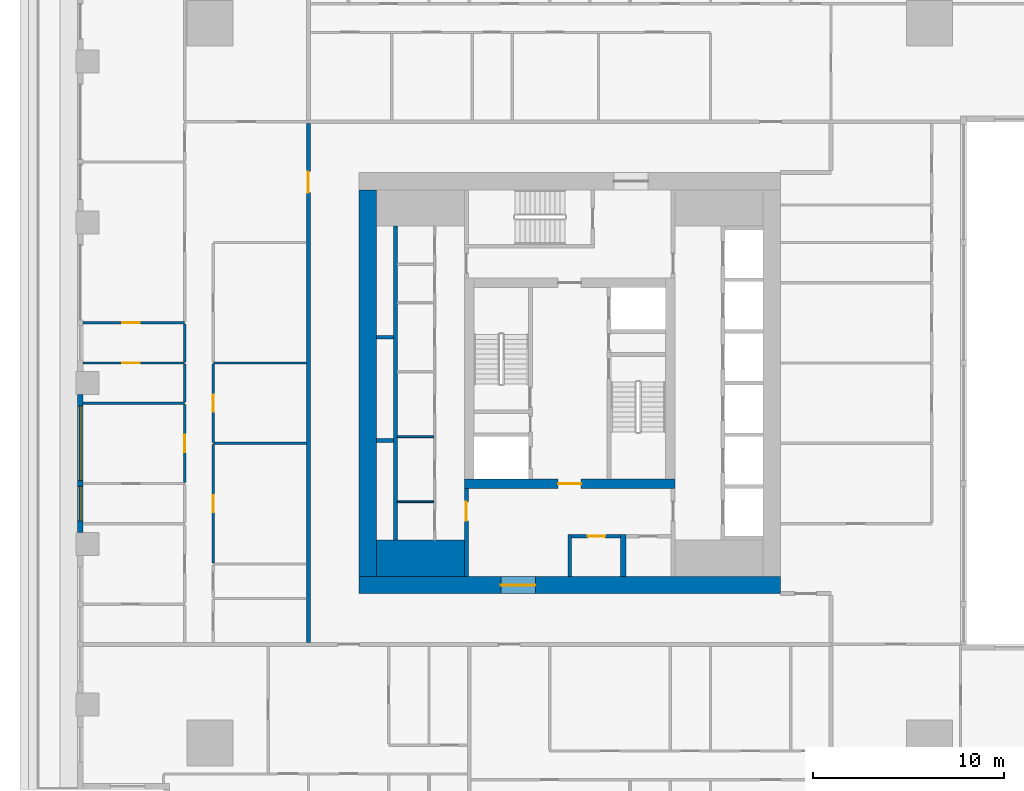
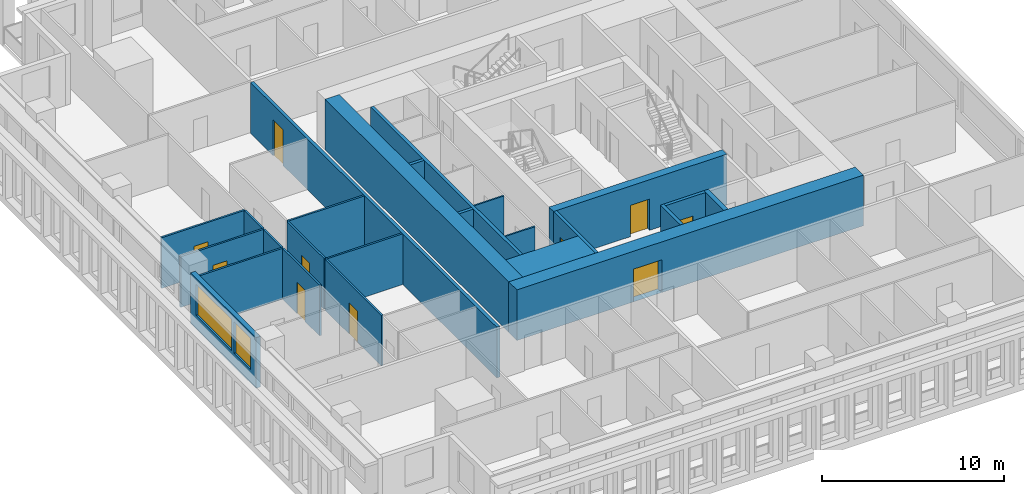
# One storey, part 3 of 15: 25 walls, 10 doors, 2 windows, 12 openings.
"""IFC4 building model written with IfcOpenShell, lengths in metres."""

from ifc_helpers import new_model, si_unit, direction, frame, frame_2d, origin, place, context, subcontext, project, spatial, rectangle, extrude, material, layer, layer_set, type_object, element, fill, save


model = new_model("IFC4")

# Units and contexts
model_context = context("Model", 3, precision=1e-05, world=origin(), true_north=direction((0.0, 1.0)))
body_context = subcontext(model_context, "Body", "Model", "MODEL_VIEW")
ifc_project = project(units=[si_unit("LENGTHUNIT", "METRE"), si_unit("AREAUNIT", "SQUARE_METRE"), si_unit("VOLUMEUNIT", "CUBIC_METRE"), si_unit("PLANEANGLEUNIT", "RADIAN"), si_unit("MASSUNIT", "GRAM", prefix="KILO")], contexts=[model_context])

# Site, building, storey
site_placement = place(None, origin())
site = spatial("IfcSite", under=ifc_project, at=site_placement, CompositionType="ELEMENT")
building_placement = place(site_placement, origin())
building = spatial("IfcBuilding", under=site, at=building_placement, Name="Khepri Terraces", CompositionType="ELEMENT")
storey_placement = place(building_placement, frame((0.0, 0.0, 231.300048828125)))
storey = spatial("IfcBuildingStorey", under=building, at=storey_placement, Name="L55", CompositionType="ELEMENT", Elevation=231.300048828125)

# Walls
ifc_material_1 = material(Name="Concrete C50/60", Category="concrete")
ifc_layer_1 = layer(ifc_material_1, 1.89990234375, Name="Concrete C50/60", Category="concrete")
ifc_layer_set_1 = layer_set([ifc_layer_1], Name="Concrete C50/60")
wall_type_1 = type_object("IfcWallType", Name="Core wall 1900 C50/60", PredefinedType="SHEAR", material=ifc_layer_set_1)
wall_1_placement = place(storey_placement, frame((-10.10009765625, -9.14990234375, 0.0), z_axis=(0.0, 0.0, 1.0), x_axis=(1.0, 0.0, 0.0)))
element("IfcWall", 1, at=wall_1_placement, inside=storey, type_object=wall_type_1, Name="Core wall PR01 L55", PredefinedType="SHEAR", context=body_context, shape_type="SweptSolid", body=[
    extrude(rectangle(XDim=4.60009765625, YDim=1.89990234375, at=frame_2d((2.300048828125, 0.0))), origin(), (0.0, 0.0, 1.0), 3.39990234375),
])
ifc_layer_2 = layer(ifc_material_1, 0.199951171875, Name="Concrete C50/60", Category="concrete")
ifc_layer_set_2 = layer_set([ifc_layer_2], Name="Concrete C50/60")
wall_type_2 = type_object("IfcWallType", Name="Core wall 200 C50/60", PredefinedType="SHEAR", material=ifc_layer_set_2)
wall_2_placement = place(storey_placement, frame((-9.10009765625, -8.199951171875, 0.0), z_axis=(0.0, 0.0, 1.0), x_axis=(0.0, 1.0, 0.0)))
element("IfcWall", 2, at=wall_2_placement, inside=storey, type_object=wall_type_2, Name="Core wall SH01 L55", PredefinedType="SHEAR", context=body_context, shape_type="SweptSolid", body=[
    extrude(rectangle(XDim=16.39990234375, YDim=0.199951171875, at=frame_2d((8.199951171875, 0.0))), origin(), (0.0, 0.0, 1.0), 3.39990234375),
])
for number, where, z_axis, x_axis, name in (
    (3, (-10.10009765625, -3.0, 0.0), (0.0, 0.0, 1.0), (1.0, 0.0, 0.0), "Core wall SH06 L55"),
    (4, (-10.10009765625, 2.39990234375, 0.0), (0.0, 0.0, 1.0), (1.0, 0.0, 0.0), "Core wall SH11 L55"),
):
    element("IfcWall", number, at=place(storey_placement, frame(where, z_axis=z_axis, x_axis=x_axis)), inside=storey, type_object=wall_type_2, Name=name, PredefinedType="SHEAR", context=body_context, shape_type="SweptSolid", body=[
        extrude(rectangle(XDim=0.900146484375, YDim=0.199951171875, at=frame_2d((0.4501953125, 0.0))), origin(), (0.0, 0.0, 1.0), 3.39990234375),
    ])

# Wall, opening, door
ifc_layer_3 = layer(ifc_material_1, 0.5, Name="Concrete C50/60", Category="concrete")
ifc_layer_set_3 = layer_set([ifc_layer_3], Name="Concrete C50/60")
wall_type_3 = type_object("IfcWallType", Name="Core wall 500 C50/60", PredefinedType="SHEAR", material=ifc_layer_set_3)
wall_3_placement = place(storey_placement, frame((-5.5, -5.25, 0.0), z_axis=(0.0, 0.0, 1.0), x_axis=(1.0, 0.0, 0.0)))
wall_3 = element("IfcWall", 5, at=wall_3_placement, inside=storey, type_object=wall_type_3, Name="Core wall BX01 L55", PredefinedType="SHEAR", context=body_context, shape_type="SweptSolid", body=[
    extrude(rectangle(XDim=11.0, YDim=0.5, at=frame_2d((5.5, 0.0))), origin(), (0.0, 0.0, 1.0), 3.39990234375),
])
opening_1_placement = place(wall_3_placement, frame((4.89990234375, 0.0, 0.0)))
opening_1 = element("IfcOpeningElement", 6, at=opening_1_placement, cuts=wall_3, Name="Opening L55-C14", PredefinedType="OPENING", context=body_context, shape_type="SweptSolid", body=[
    extrude(rectangle(XDim=1.199951171875, YDim=2.10009765625, at=frame_2d((0.60009765625, 1.050048828125))), frame((0.0, 0.260009765625, 0.0), z_axis=(0.0, -1.0, 0.0), x_axis=(1.0, 0.0, 0.0)), (0.0, 0.0, 1.0), 0.52001953125),
])
ifc_material_2 = material(Name="Painted steel", Category="steel")
door_type_1 = type_object("IfcDoorType", Name="DR-CORE-FF-LOBBY-1200", OperationType="NOTDEFINED", PredefinedType="DOOR", material=ifc_material_2)
door_1_placement = place(opening_1_placement, origin())
door_1 = element("IfcDoor", 7, at=door_1_placement, inside=storey, type_object=door_type_1, Name="Firefighting lobby door L55-C14", OperationType="SINGLE_SWING_RIGHT", OverallHeight=2.10009765625, OverallWidth=1.199951171875, PredefinedType="DOOR", context=body_context, shape_type="SweptSolid", body=[
    extrude(rectangle(XDim=1.199951171875, YDim=2.10009765625, at=frame_2d((0.60009765625, 1.050048828125))), frame((0.0, 0.02490234375, 0.0), z_axis=(0.0, -1.0, 0.0), x_axis=(1.0, 0.0, 0.0)), (0.0, 0.0, 1.0), 0.050048828125),
])
fill(opening_1, door_1)

ifc_layer_4 = layer(ifc_material_1, 0.89990234375, Name="Concrete C50/60", Category="concrete")
ifc_layer_set_4 = layer_set([ifc_layer_4], Name="Concrete C50/60")
wall_type_4 = type_object("IfcWallType", Name="Core wall 900 C50/60", PredefinedType="SHEAR", material=ifc_layer_set_4)
wall_4_placement = place(storey_placement, frame((-11.0, -10.550048828125, 0.0), z_axis=(0.0, 0.0, 1.0), x_axis=(1.0, 0.0, 0.0)))
wall_4 = element("IfcWall", 8, at=wall_4_placement, inside=storey, type_object=wall_type_4, Name="Core wall OW-S L55", PredefinedType="SHEAR", context=body_context, shape_type="SweptSolid", body=[
    extrude(rectangle(XDim=22.0, YDim=0.89990234375, at=frame_2d((11.0, 0.0))), origin(), (0.0, 0.0, 1.0), 3.39990234375),
])
opening_2_placement = place(wall_4_placement, frame((7.39990234375, 0.0, 0.0)))
opening_2 = element("IfcOpeningElement", 9, at=opening_2_placement, cuts=wall_4, Name="Opening L55-C21", PredefinedType="OPENING", context=body_context, shape_type="SweptSolid", body=[
    extrude(rectangle(XDim=1.800048828125, YDim=2.199951171875, at=frame_2d((0.89990234375, 1.10009765625))), frame((0.0, 0.4599609375, 0.0), z_axis=(0.0, -1.0, 0.0), x_axis=(1.0, 0.0, 0.0)), (0.0, 0.0, 1.0), 0.919921875),
])
door_type_2 = type_object("IfcDoorType", Name="DR-CORE-ENTRANCE-1800", OperationType="NOTDEFINED", PredefinedType="DOOR", material=ifc_material_2)
door_2_placement = place(opening_2_placement, frame((1.800048828125, 0.0, 0.0), z_axis=(0.0, 0.0, 1.0), x_axis=(-1.0, 0.0, 0.0)))
door_2 = element("IfcDoor", 10, at=door_2_placement, inside=storey, type_object=door_type_2, Name="Core entrance door pair L55-C21", OperationType="DOUBLE_DOOR_SINGLE_SWING", OverallHeight=2.199951171875, OverallWidth=1.800048828125, PredefinedType="DOOR", context=body_context, shape_type="SweptSolid", body=[
    extrude(rectangle(XDim=1.800048828125, YDim=2.199951171875, at=frame_2d((0.89990234375, 1.10009765625))), frame((0.0, 0.02490234375, 0.0), z_axis=(0.0, -1.0, 0.0), x_axis=(1.0, 0.0, 0.0)), (0.0, 0.0, 1.0), 0.050048828125),
])
fill(opening_2, door_2)

# Walls
wall_5_placement = place(storey_placement, frame((-10.550048828125, -10.10009765625, 0.0), z_axis=(0.0, 0.0, 1.0), x_axis=(0.0, 1.0, 0.0)))
element("IfcWall", 11, at=wall_5_placement, inside=storey, type_object=wall_type_4, Name="Core wall OW-W L55", PredefinedType="SHEAR", context=body_context, shape_type="SweptSolid", body=[
    extrude(rectangle(XDim=20.2001953125, YDim=0.89990234375, at=frame_2d((10.10009765625, 0.0))), origin(), (0.0, 0.0, 1.0), 3.39990234375),
])
ifc_material_3 = material(Name="Fire-rated gypsum board partition")
ifc_layer_5 = layer(ifc_material_3, 0.10009765625, Name="Fire-rated gypsum board partition")
ifc_layer_set_5 = layer_set([ifc_layer_5], Name="Fire-rated gypsum board partition")
wall_type_5 = type_object("IfcWallType", Name="WL-CORE-PART-100", PredefinedType="PARTITIONING", material=ifc_layer_set_5)
for number, where, z_axis, x_axis, name in (
    (12, (-9.0, -6.199951171875, 0.0), (0.0, 0.0, 1.0), (1.0, 0.0, 0.0), "Core partition PT08 L55"),
    (13, (-9.0, -2.800048828125, 0.0), (0.0, 0.0, 1.0), (1.0, 0.0, 0.0), "Core partition PT09 L55"),
):
    element("IfcWall", number, at=place(storey_placement, frame(where, z_axis=z_axis, x_axis=x_axis)), inside=storey, type_object=wall_type_5, Name=name, PredefinedType="PARTITIONING", context=body_context, shape_type="SweptSolid", body=[
        extrude(rectangle(XDim=1.89990234375, YDim=0.10009765625, at=frame_2d((0.949951171875, 0.0))), origin(), (0.0, 0.0, 1.0), 3.39990234375),
    ])

# Wall, opening, door
ifc_layer_6 = layer(ifc_material_3, 0.199951171875, Name="Fire-rated gypsum board partition")
ifc_layer_set_6 = layer_set([ifc_layer_6], Name="Fire-rated gypsum board partition")
wall_type_6 = type_object("IfcWallType", Name="WL-CORE-PART-200", PredefinedType="PARTITIONING", material=ifc_layer_set_6)
wall_6_placement = place(storey_placement, frame((-5.39990234375, -10.10009765625, 0.0), z_axis=(0.0, 0.0, 1.0), x_axis=(0.0, 1.0, 0.0)))
wall_6 = element("IfcWall", 14, at=wall_6_placement, inside=storey, type_object=wall_type_6, Name="Core partition PT01 L55", PredefinedType="PARTITIONING", context=body_context, shape_type="SweptSolid", body=[
    extrude(rectangle(XDim=4.60009765625, YDim=0.199951171875, at=frame_2d((2.300048828125, 0.0))), origin(), (0.0, 0.0, 1.0), 3.39990234375),
])
opening_3_placement = place(wall_6_placement, frame((2.89990234375, 0.0, 0.0)))
opening_3 = element("IfcOpeningElement", 15, at=opening_3_placement, cuts=wall_6, Name="Opening L55-C18", PredefinedType="OPENING", context=body_context, shape_type="SweptSolid", body=[
    extrude(rectangle(XDim=1.0, YDim=2.10009765625, at=frame_2d((0.5, 1.050048828125))), frame((0.0, 0.10986328125, 0.0), z_axis=(0.0, -1.0, 0.0), x_axis=(1.0, 0.0, 0.0)), (0.0, 0.0, 1.0), 0.219970703125),
])
door_type_3 = type_object("IfcDoorType", Name="DR-CORE-LOBBY-1000", OperationType="NOTDEFINED", PredefinedType="DOOR", material=ifc_material_2)
door_3_placement = place(opening_3_placement, frame((1.0, 0.0, 0.0), z_axis=(0.0, 0.0, 1.0), x_axis=(-1.0, 0.0, 0.0)))
door_3 = element("IfcDoor", 16, at=door_3_placement, inside=storey, type_object=door_type_3, Name="Lobby door L55-C18", OperationType="SINGLE_SWING_LEFT", OverallHeight=2.10009765625, OverallWidth=1.0, PredefinedType="DOOR", context=body_context, shape_type="SweptSolid", body=[
    extrude(rectangle(XDim=1.0, YDim=2.10009765625, at=frame_2d((0.5, 1.050048828125))), frame((0.0, 0.02490234375, 0.0), z_axis=(0.0, -1.0, 0.0), x_axis=(1.0, 0.0, 0.0)), (0.0, 0.0, 1.0), 0.050048828125),
])
fill(opening_3, door_3)

# Wall
wall_7_placement = place(storey_placement, frame((0.0, -10.10009765625, 0.0), z_axis=(0.0, 0.0, 1.0), x_axis=(0.0, 1.0, 0.0)))
element("IfcWall", 17, at=wall_7_placement, inside=storey, type_object=wall_type_6, Name="Core partition PT02 L55", PredefinedType="PARTITIONING", context=body_context, shape_type="SweptSolid", body=[
    extrude(rectangle(XDim=2.2001953125, YDim=0.199951171875, at=frame_2d((1.10009765625, 0.0))), origin(), (0.0, 0.0, 1.0), 3.39990234375),
])

# Wall, opening, door
wall_8_placement = place(storey_placement, frame((0.10009765625, -8.0, 0.0), z_axis=(0.0, 0.0, 1.0), x_axis=(1.0, 0.0, 0.0)))
wall_8 = element("IfcWall", 18, at=wall_8_placement, inside=storey, type_object=wall_type_6, Name="Core partition PT06 L55", PredefinedType="PARTITIONING", context=body_context, shape_type="SweptSolid", body=[
    extrude(rectangle(XDim=2.5498046875, YDim=0.199951171875, at=frame_2d((1.27490234375, 0.0))), origin(), (0.0, 0.0, 1.0), 3.39990234375),
])
opening_4_placement = place(wall_8_placement, frame((0.85009765625, 0.0, 0.0)))
opening_4 = element("IfcOpeningElement", 19, at=opening_4_placement, cuts=wall_8, Name="Opening L55-C22", PredefinedType="OPENING", context=body_context, shape_type="SweptSolid", body=[
    extrude(rectangle(XDim=0.89990234375, YDim=2.10009765625, at=frame_2d((0.449951171875, 1.050048828125))), frame((0.0, 0.10986328125, 0.0), z_axis=(0.0, -1.0, 0.0), x_axis=(1.0, 0.0, 0.0)), (0.0, 0.0, 1.0), 0.219970703125),
])
door_type_4 = type_object("IfcDoorType", Name="DR-CORE-SERVICE-900", OperationType="NOTDEFINED", PredefinedType="DOOR", material=ifc_material_2)
door_4_placement = place(opening_4_placement, frame((0.89990234375, 0.0, 0.0), z_axis=(0.0, 0.0, 1.0), x_axis=(-1.0, 0.0, 0.0)))
door_4 = element("IfcDoor", 20, at=door_4_placement, inside=storey, type_object=door_type_4, Name="Service room door L55-C22", OperationType="SINGLE_SWING_LEFT", OverallHeight=2.10009765625, OverallWidth=0.89990234375, PredefinedType="DOOR", context=body_context, shape_type="SweptSolid", body=[
    extrude(rectangle(XDim=0.89990234375, YDim=2.10009765625, at=frame_2d((0.449951171875, 1.050048828125))), frame((0.0, 0.02490234375, 0.0), z_axis=(0.0, -1.0, 0.0), x_axis=(1.0, 0.0, 0.0)), (0.0, 0.0, 1.0), 0.050048828125),
])
fill(opening_4, door_4)

# Wall
ifc_layer_7 = layer(ifc_material_3, 0.300048828125, Name="Fire-rated gypsum board partition")
ifc_layer_set_7 = layer_set([ifc_layer_7], Name="Fire-rated gypsum board partition")
wall_type_7 = type_object("IfcWallType", Name="WL-CORE-PART-300", PredefinedType="PARTITIONING", material=ifc_layer_set_7)
wall_9_placement = place(storey_placement, frame((2.800048828125, -10.10009765625, 0.0), z_axis=(0.0, 0.0, 1.0), x_axis=(0.0, 1.0, 0.0)))
element("IfcWall", 21, at=wall_9_placement, inside=storey, type_object=wall_type_7, Name="Core partition PT03 L55", PredefinedType="PARTITIONING", context=body_context, shape_type="SweptSolid", body=[
    extrude(rectangle(XDim=2.2001953125, YDim=0.300048828125, at=frame_2d((1.10009765625, 0.0))), origin(), (0.0, 0.0, 1.0), 3.39990234375),
])

# Wall, opening, door
ifc_material_4 = material(Name="Fire-rated gypsum plasterboard partition, mineral wool")
ifc_layer_8 = layer(ifc_material_4, 0.199951171875, Name="Fire-rated gypsum plasterboard partition, mineral wool")
ifc_layer_set_8 = layer_set([ifc_layer_8], Name="Fire-rated gypsum plasterboard partition, mineral wool")
wall_type_8 = type_object("IfcWallType", Name="WL-CORR-200", PredefinedType="PARTITIONING", material=ifc_layer_set_8)
wall_10_placement = place(storey_placement, frame((-13.64990234375, -13.550048828125, 0.0), z_axis=(0.0, 0.0, 1.0), x_axis=(0.0, 1.0, 0.0)))
wall_10 = element("IfcWall", 22, at=wall_10_placement, inside=storey, type_object=wall_type_8, Name="Partition P-028 L55", PredefinedType="PARTITIONING", context=body_context, shape_type="SweptSolid", body=[
    extrude(rectangle(XDim=27.10009765625, YDim=0.199951171875, at=frame_2d((13.550048828125, 0.0))), origin(), (0.0, 0.0, 1.0), 3.39990234375),
])
opening_5_placement = place(wall_10_placement, frame((23.5, 0.0, 0.0)))
opening_5 = element("IfcOpeningElement", 23, at=opening_5_placement, cuts=wall_10, Name="Opening D1", PredefinedType="OPENING", context=body_context, shape_type="SweptSolid", body=[
    extrude(rectangle(XDim=1.10009765625, YDim=2.39990234375, at=frame_2d((0.550048828125, 1.199951171875))), frame((0.0, 0.10986328125, 0.0), z_axis=(0.0, -1.0, 0.0), x_axis=(1.0, 0.0, 0.0)), (0.0, 0.0, 1.0), 0.219970703125),
])
ifc_material_5 = material(Name="Solid-core timber door leaf, flat entrance door", Category="wood")
door_type_5 = type_object("IfcDoorType", Name="DR-ENT-1100", OperationType="NOTDEFINED", PredefinedType="DOOR", material=ifc_material_5)
door_5_placement = place(opening_5_placement, origin())
door_5 = element("IfcDoor", 24, at=door_5_placement, inside=storey, type_object=door_type_5, Name="Flat D1 entrance door", OperationType="SINGLE_SWING_RIGHT", OverallHeight=2.39990234375, OverallWidth=1.10009765625, PredefinedType="DOOR", context=body_context, shape_type="SweptSolid", body=[
    extrude(rectangle(XDim=1.10009765625, YDim=2.39990234375, at=frame_2d((0.550048828125, 1.199951171875))), frame((0.0, 0.02490234375, 0.0), z_axis=(0.0, -1.0, 0.0), x_axis=(1.0, 0.0, 0.0)), (0.0, 0.0, 1.0), 0.050048828125),
])
fill(opening_5, door_5)

# Wall, openings, windows
ifc_material_6 = material(Name="Precast concrete C50/60 warm stone", Category="masonry")
ifc_layer_9 = layer(ifc_material_6, 0.300048828125, Name="Precast concrete C50/60 warm stone", Category="masonry")
ifc_layer_set_9 = layer_set([ifc_layer_9], Name="Precast concrete C50/60 warm stone")
wall_type_9 = type_object("IfcWallType", Name="WL-EXT-PRECAST-300", PredefinedType="STANDARD", material=ifc_layer_set_9)
wall_11_placement = place(storey_placement, frame((-25.570068359375, -0.60009765625, 0.0), z_axis=(0.0, 0.0, 1.0), x_axis=(0.0, -1.0, 0.0)))
wall_11 = element("IfcWall", 25, at=wall_11_placement, inside=storey, type_object=wall_type_9, Name="External wall L55 W", PredefinedType="STANDARD", context=body_context, shape_type="SweptSolid", body=[
    extrude(rectangle(XDim=7.199951171875, YDim=0.300048828125, at=frame_2d((3.60009765625, 0.0))), origin(), (0.0, 0.0, 1.0), 3.39990234375),
])
opening_6_placement = place(wall_11_placement, frame((0.60009765625, 0.0, 0.89990234375)))
opening_6 = element("IfcOpeningElement", 26, at=opening_6_placement, cuts=wall_11, Name="Opening W2", PredefinedType="OPENING", context=body_context, shape_type="SweptSolid", body=[
    extrude(rectangle(XDim=3.89990234375, YDim=2.10009765625, at=frame_2d((1.949951171875, 1.050048828125))), frame((0.0, 0.16015625, 0.0), z_axis=(0.0, -1.0, 0.0), x_axis=(1.0, 0.0, 0.0)), (0.0, 0.0, 1.0), 0.320068359375),
])
opening_7_placement = place(wall_11_placement, frame((4.800048828125, 0.0, 0.89990234375)))
opening_7 = element("IfcOpeningElement", 27, at=opening_7_placement, cuts=wall_11, Name="Opening W1", PredefinedType="OPENING", context=body_context, shape_type="SweptSolid", body=[
    extrude(rectangle(XDim=1.800048828125, YDim=2.10009765625, at=frame_2d((0.89990234375, 1.050048828125))), frame((0.0, 0.16015625, 0.0), z_axis=(0.0, -1.0, 0.0), x_axis=(1.0, 0.0, 0.0)), (0.0, 0.0, 1.0), 0.320068359375),
])
ifc_material_7 = material(Name="Clear glass", Category="glass")
window_type_1 = type_object("IfcWindowType", Name="WIN-RES-1800x2100", PartitioningType="SINGLE_PANEL", PredefinedType="WINDOW", material=ifc_material_7)
window_1_placement = place(opening_7_placement, origin())
window_1 = element("IfcWindow", 28, at=window_1_placement, inside=storey, type_object=window_type_1, Name="Window L55 W", OverallHeight=2.10009765625, OverallWidth=1.800048828125, PartitioningType="SINGLE_PANEL", PredefinedType="WINDOW", context=body_context, shape_type="SweptSolid", body=[
    extrude(rectangle(XDim=1.800048828125, YDim=2.10009765625, at=frame_2d((0.89990234375, 1.050048828125))), frame((0.0, 0.030029296875, 0.0), z_axis=(0.0, -1.0, 0.0), x_axis=(1.0, 0.0, 0.0)), (0.0, 0.0, 1.0), 0.06005859375),
])
fill(opening_7, window_1)
window_type_2 = type_object("IfcWindowType", Name="WIN-RES-3900x2100", PartitioningType="SINGLE_PANEL", PredefinedType="WINDOW", material=ifc_material_7)
window_2_placement = place(opening_6_placement, origin())
window_2 = element("IfcWindow", 29, at=window_2_placement, inside=storey, type_object=window_type_2, Name="Window L55 W", OverallHeight=2.10009765625, OverallWidth=3.89990234375, PartitioningType="SINGLE_PANEL", PredefinedType="WINDOW", context=body_context, shape_type="SweptSolid", body=[
    extrude(rectangle(XDim=3.89990234375, YDim=2.10009765625, at=frame_2d((1.949951171875, 1.050048828125))), frame((0.0, 0.030029296875, 0.0), z_axis=(0.0, -1.0, 0.0), x_axis=(1.0, 0.0, 0.0)), (0.0, 0.0, 1.0), 0.06005859375),
])
fill(opening_6, window_2)

# Wall, opening, door
ifc_material_8 = material(Name="Gypsum plasterboard partition")
ifc_layer_10 = layer(ifc_material_8, 0.1201171875, Name="Gypsum plasterboard partition")
ifc_layer_set_10 = layer_set([ifc_layer_10], Name="Gypsum plasterboard partition")
wall_type_10 = type_object("IfcWallType", Name="WL-PART-120", PredefinedType="PARTITIONING", material=ifc_layer_set_10)
wall_12_placement = place(storey_placement, frame((-18.6201171875, -9.389892578125, 0.0), z_axis=(0.0, 0.0, 1.0), x_axis=(0.0, 1.0, 0.0)))
wall_12 = element("IfcWall", 30, at=wall_12_placement, inside=storey, type_object=wall_type_10, Name="Partition P-036 L55", PredefinedType="PARTITIONING", context=body_context, shape_type="SweptSolid", body=[
    extrude(rectangle(XDim=6.179931640625, YDim=0.1201171875, at=frame_2d((3.08984375, 0.0))), origin(), (0.0, 0.0, 1.0), 3.39990234375),
])
opening_8_placement = place(wall_12_placement, frame((2.639892578125, 0.0, 0.0)))
opening_8 = element("IfcOpeningElement", 31, at=opening_8_placement, cuts=wall_12, Name="Opening D3", PredefinedType="OPENING", context=body_context, shape_type="SweptSolid", body=[
    extrude(rectangle(XDim=0.89990234375, YDim=2.10009765625, at=frame_2d((0.449951171875, 1.050048828125))), frame((0.0, 0.070068359375, 0.0), z_axis=(0.0, -1.0, 0.0), x_axis=(1.0, 0.0, 0.0)), (0.0, 0.0, 1.0), 0.14013671875),
])
ifc_material_9 = material(Name="Timber door leaf", Category="wood")
door_type_6 = type_object("IfcDoorType", Name="DR-INT-900", OperationType="NOTDEFINED", PredefinedType="DOOR", material=ifc_material_9)
door_6_placement = place(opening_8_placement, frame((0.89990234375, 0.0, 0.0), z_axis=(0.0, 0.0, 1.0), x_axis=(-1.0, 0.0, 0.0)))
door_6 = element("IfcDoor", 32, at=door_6_placement, inside=storey, type_object=door_type_6, Name="Door Staff Bedroom", OperationType="SINGLE_SWING_LEFT", OverallHeight=2.10009765625, OverallWidth=0.89990234375, PredefinedType="DOOR", context=body_context, shape_type="SweptSolid", body=[
    extrude(rectangle(XDim=0.89990234375, YDim=2.10009765625, at=frame_2d((0.449951171875, 1.050048828125))), frame((0.0, 0.02490234375, 0.0), z_axis=(0.0, -1.0, 0.0), x_axis=(1.0, 0.0, 0.0)), (0.0, 0.0, 1.0), 0.050048828125),
])
fill(opening_8, door_6)

wall_13_placement = place(storey_placement, frame((-20.1201171875, -5.18994140625, 0.0), z_axis=(0.0, 0.0, 1.0), x_axis=(0.0, 1.0, 0.0)))
wall_13 = element("IfcWall", 33, at=wall_13_placement, inside=storey, type_object=wall_type_10, Name="Partition P-042 L55", PredefinedType="PARTITIONING", context=body_context, shape_type="SweptSolid", body=[
    extrude(rectangle(XDim=4.079833984375, YDim=0.1201171875, at=frame_2d((2.0400390625, 0.0))), origin(), (0.0, 0.0, 1.0), 3.39990234375),
])
opening_9_placement = place(wall_13_placement, frame((1.590087890625, 0.0, 0.0)))
opening_9 = element("IfcOpeningElement", 34, at=opening_9_placement, cuts=wall_13, Name="Opening D3", PredefinedType="OPENING", context=body_context, shape_type="SweptSolid", body=[
    extrude(rectangle(XDim=0.89990234375, YDim=2.10009765625, at=frame_2d((0.449951171875, 1.050048828125))), frame((0.0, 0.070068359375, 0.0), z_axis=(0.0, -1.0, 0.0), x_axis=(1.0, 0.0, 0.0)), (0.0, 0.0, 1.0), 0.14013671875),
])
door_7_placement = place(opening_9_placement, origin())
door_7 = element("IfcDoor", 35, at=door_7_placement, inside=storey, type_object=door_type_6, Name="Door Bedroom", OperationType="SINGLE_SWING_RIGHT", OverallHeight=2.10009765625, OverallWidth=0.89990234375, PredefinedType="DOOR", context=body_context, shape_type="SweptSolid", body=[
    extrude(rectangle(XDim=0.89990234375, YDim=2.10009765625, at=frame_2d((0.449951171875, 1.050048828125))), frame((0.0, 0.02490234375, 0.0), z_axis=(0.0, -1.0, 0.0), x_axis=(1.0, 0.0, 0.0)), (0.0, 0.0, 1.0), 0.050048828125),
])
fill(opening_9, door_7)

# Wall
wall_14_placement = place(storey_placement, frame((-18.6201171875, -3.14990234375, 0.0), z_axis=(0.0, 0.0, 1.0), x_axis=(1.0, 0.0, 0.0)))
element("IfcWall", 36, at=wall_14_placement, inside=storey, type_object=wall_type_10, Name="Partition P-043 L55", PredefinedType="PARTITIONING", context=body_context, shape_type="SweptSolid", body=[
    extrude(rectangle(XDim=4.8701171875, YDim=0.1201171875, at=frame_2d((2.43505859375, 0.0))), origin(), (0.0, 0.0, 1.0), 3.39990234375),
])

# Wall, opening, door
wall_15_placement = place(storey_placement, frame((-18.6201171875, -3.090087890625, 0.0), z_axis=(0.0, 0.0, 1.0), x_axis=(0.0, 1.0, 0.0)))
wall_15 = element("IfcWall", 37, at=wall_15_placement, inside=storey, type_object=wall_type_10, Name="Partition P-045 L55", PredefinedType="PARTITIONING", context=body_context, shape_type="SweptSolid", body=[
    extrude(rectangle(XDim=4.080078125, YDim=0.1201171875, at=frame_2d((2.0400390625, 0.0))), origin(), (0.0, 0.0, 1.0), 3.39990234375),
])
opening_10_placement = place(wall_15_placement, frame((1.590087890625, 0.0, 0.0)))
opening_10 = element("IfcOpeningElement", 38, at=opening_10_placement, cuts=wall_15, Name="Opening D3", PredefinedType="OPENING", context=body_context, shape_type="SweptSolid", body=[
    extrude(rectangle(XDim=0.89990234375, YDim=2.10009765625, at=frame_2d((0.449951171875, 1.050048828125))), frame((0.0, 0.070068359375, 0.0), z_axis=(0.0, -1.0, 0.0), x_axis=(1.0, 0.0, 0.0)), (0.0, 0.0, 1.0), 0.14013671875),
])
door_8_placement = place(opening_10_placement, frame((0.89990234375, 0.0, 0.0), z_axis=(0.0, 0.0, 1.0), x_axis=(-1.0, 0.0, 0.0)))
door_8 = element("IfcDoor", 39, at=door_8_placement, inside=storey, type_object=door_type_6, Name="Door Service Store", OperationType="SINGLE_SWING_LEFT", OverallHeight=2.10009765625, OverallWidth=0.89990234375, PredefinedType="DOOR", context=body_context, shape_type="SweptSolid", body=[
    extrude(rectangle(XDim=0.89990234375, YDim=2.10009765625, at=frame_2d((0.449951171875, 1.050048828125))), frame((0.0, 0.02490234375, 0.0), z_axis=(0.0, -1.0, 0.0), x_axis=(1.0, 0.0, 0.0)), (0.0, 0.0, 1.0), 0.050048828125),
])
fill(opening_10, door_8)

# Walls
wall_16_placement = place(storey_placement, frame((-25.419921875, -1.050048828125, 0.0), z_axis=(0.0, 0.0, 1.0), x_axis=(1.0, 0.0, 0.0)))
element("IfcWall", 40, at=wall_16_placement, inside=storey, type_object=wall_type_10, Name="Partition P-047 L55", PredefinedType="PARTITIONING", context=body_context, shape_type="SweptSolid", body=[
    extrude(rectangle(XDim=5.2998046875, YDim=0.1201171875, at=frame_2d((2.64990234375, 0.0))), origin(), (0.0, 0.0, 1.0), 3.39990234375),
])
wall_17_placement = place(storey_placement, frame((-20.1201171875, -0.989990234375, 0.0), z_axis=(0.0, 0.0, 1.0), x_axis=(0.0, 1.0, 0.0)))
element("IfcWall", 41, at=wall_17_placement, inside=storey, type_object=wall_type_10, Name="Partition P-048 L55", PredefinedType="PARTITIONING", context=body_context, shape_type="SweptSolid", body=[
    extrude(rectangle(XDim=1.97998046875, YDim=0.1201171875, at=frame_2d((0.989990234375, 0.0))), origin(), (0.0, 0.0, 1.0), 3.39990234375),
])

# Wall, opening, door
wall_18_placement = place(storey_placement, frame((-25.419921875, 1.050048828125, 0.0), z_axis=(0.0, 0.0, 1.0), x_axis=(1.0, 0.0, 0.0)))
wall_18 = element("IfcWall", 42, at=wall_18_placement, inside=storey, type_object=wall_type_10, Name="Partition P-049 L55", PredefinedType="PARTITIONING", context=body_context, shape_type="SweptSolid", body=[
    extrude(rectangle(XDim=5.2998046875, YDim=0.1201171875, at=frame_2d((2.64990234375, 0.0))), origin(), (0.0, 0.0, 1.0), 3.39990234375),
])
opening_11_placement = place(wall_18_placement, frame((2.050048828125, 0.0, 0.0)))
opening_11 = element("IfcOpeningElement", 43, at=opening_11_placement, cuts=wall_18, Name="Opening D4", PredefinedType="OPENING", context=body_context, shape_type="SweptSolid", body=[
    extrude(rectangle(XDim=0.89990234375, YDim=2.10009765625, at=frame_2d((0.449951171875, 1.050048828125))), frame((0.0, 0.070068359375, 0.0), z_axis=(0.0, -1.0, 0.0), x_axis=(1.0, 0.0, 0.0)), (0.0, 0.0, 1.0), 0.14013671875),
])
ifc_material_10 = material(Name="Timber door leaf, moisture resistant", Category="wood")
door_type_7 = type_object("IfcDoorType", Name="DR-WET-900", OperationType="NOTDEFINED", PredefinedType="DOOR", material=ifc_material_10)
door_9_placement = place(opening_11_placement, frame((0.89990234375, 0.0, 0.0), z_axis=(0.0, 0.0, 1.0), x_axis=(-1.0, 0.0, 0.0)))
door_9 = element("IfcDoor", 44, at=door_9_placement, inside=storey, type_object=door_type_7, Name="Door Bathroom", OperationType="SINGLE_SWING_RIGHT", OverallHeight=2.10009765625, OverallWidth=0.89990234375, PredefinedType="DOOR", context=body_context, shape_type="SweptSolid", body=[
    extrude(rectangle(XDim=0.89990234375, YDim=2.10009765625, at=frame_2d((0.449951171875, 1.050048828125))), frame((0.0, 0.02490234375, 0.0), z_axis=(0.0, -1.0, 0.0), x_axis=(1.0, 0.0, 0.0)), (0.0, 0.0, 1.0), 0.050048828125),
])
fill(opening_11, door_9)

# Walls
wall_19_placement = place(storey_placement, frame((-18.6201171875, 1.050048828125, 0.0), z_axis=(0.0, 0.0, 1.0), x_axis=(1.0, 0.0, 0.0)))
element("IfcWall", 45, at=wall_19_placement, inside=storey, type_object=wall_type_10, Name="Partition P-050 L55", PredefinedType="PARTITIONING", context=body_context, shape_type="SweptSolid", body=[
    extrude(rectangle(XDim=4.8701171875, YDim=0.1201171875, at=frame_2d((2.43505859375, 0.0))), origin(), (0.0, 0.0, 1.0), 3.39990234375),
])
wall_20_placement = place(storey_placement, frame((-20.1201171875, 1.110107421875, 0.0), z_axis=(0.0, 0.0, 1.0), x_axis=(0.0, 1.0, 0.0)))
element("IfcWall", 46, at=wall_20_placement, inside=storey, type_object=wall_type_10, Name="Partition P-052 L55", PredefinedType="PARTITIONING", context=body_context, shape_type="SweptSolid", body=[
    extrude(rectangle(XDim=1.97998046875, YDim=0.1201171875, at=frame_2d((0.989990234375, 0.0))), origin(), (0.0, 0.0, 1.0), 3.39990234375),
])

# Wall, opening, door
wall_21_placement = place(storey_placement, frame((-25.419921875, 3.14990234375, 0.0), z_axis=(0.0, 0.0, 1.0), x_axis=(1.0, 0.0, 0.0)))
wall_21 = element("IfcWall", 47, at=wall_21_placement, inside=storey, type_object=wall_type_10, Name="Partition P-055 L55", PredefinedType="PARTITIONING", context=body_context, shape_type="SweptSolid", body=[
    extrude(rectangle(XDim=5.2998046875, YDim=0.1201171875, at=frame_2d((2.64990234375, 0.0))), origin(), (0.0, 0.0, 1.0), 3.39990234375),
])
opening_12_placement = place(wall_21_placement, frame((2.050048828125, 0.0, 0.0)))
opening_12 = element("IfcOpeningElement", 48, at=opening_12_placement, cuts=wall_21, Name="Opening D3", PredefinedType="OPENING", context=body_context, shape_type="SweptSolid", body=[
    extrude(rectangle(XDim=0.89990234375, YDim=2.10009765625, at=frame_2d((0.449951171875, 1.050048828125))), frame((0.0, 0.070068359375, 0.0), z_axis=(0.0, -1.0, 0.0), x_axis=(1.0, 0.0, 0.0)), (0.0, 0.0, 1.0), 0.14013671875),
])
door_10_placement = place(opening_12_placement, frame((0.89990234375, 0.0, 0.0), z_axis=(0.0, 0.0, 1.0), x_axis=(-1.0, 0.0, 0.0)))
door_10 = element("IfcDoor", 49, at=door_10_placement, inside=storey, type_object=door_type_6, Name="Door Dressing Room", OperationType="SINGLE_SWING_RIGHT", OverallHeight=2.10009765625, OverallWidth=0.89990234375, PredefinedType="DOOR", context=body_context, shape_type="SweptSolid", body=[
    extrude(rectangle(XDim=0.89990234375, YDim=2.10009765625, at=frame_2d((0.449951171875, 1.050048828125))), frame((0.0, 0.02490234375, 0.0), z_axis=(0.0, -1.0, 0.0), x_axis=(1.0, 0.0, 0.0)), (0.0, 0.0, 1.0), 0.050048828125),
])
fill(opening_12, door_10)

save(model, "model.ifc")
